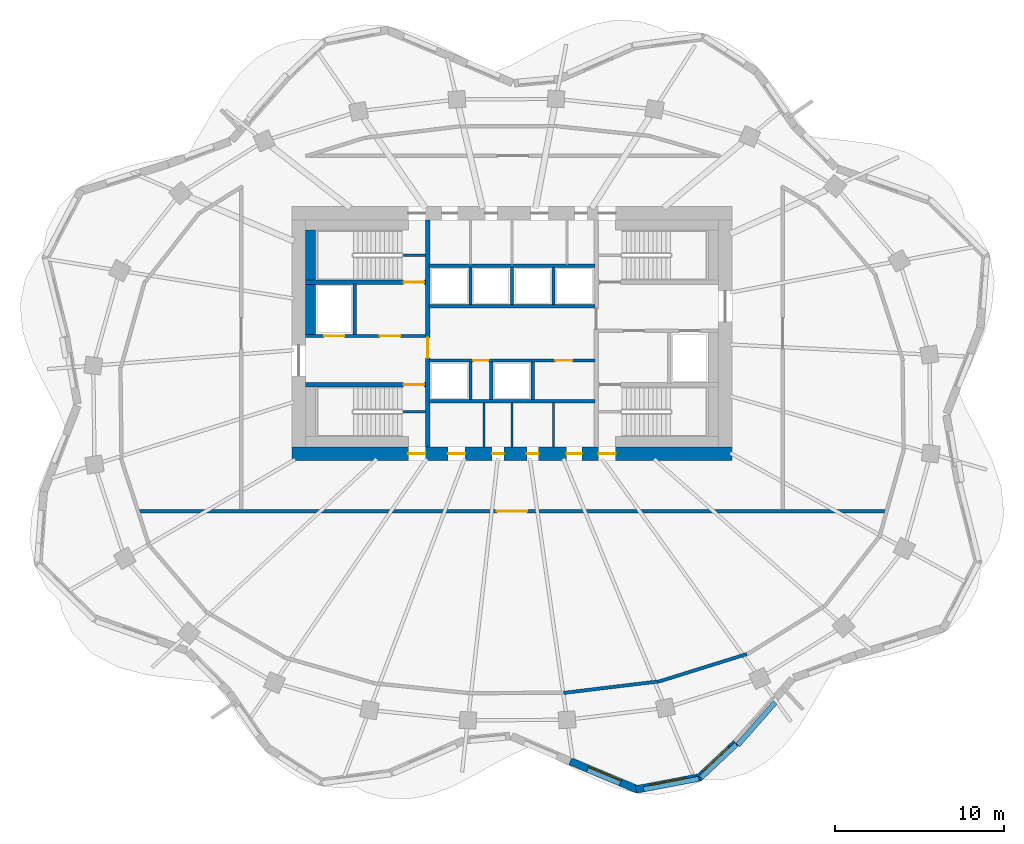
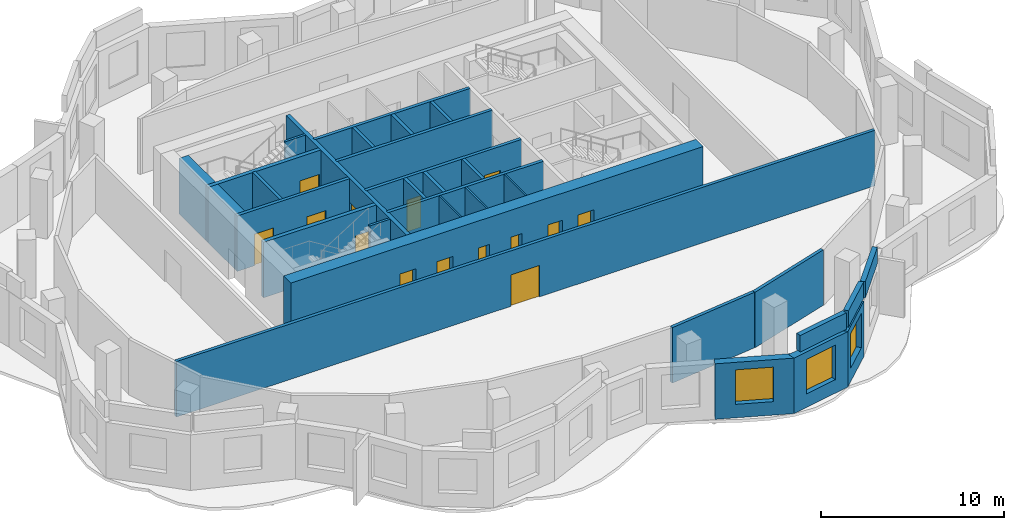
# One storey, part 4 of 8: 32 walls, 14 doors, 3 windows, 17 openings.
"""IFC4 building model written with IfcOpenShell, lengths in metres."""

from ifc_helpers import new_model, si_unit, direction, frame, frame_2d, origin, place, context, subcontext, project, spatial, rectangle, extrude, material, layer, layer_set, type_object, element, fill, save


model = new_model("IFC4")

# Units and contexts
model_context = context("Model", 3, precision=1e-05, world=origin(), true_north=direction((0.0, 1.0)))
body_context = subcontext(model_context, "Body", "Model", "MODEL_VIEW")
ifc_project = project(units=[si_unit("LENGTHUNIT", "METRE"), si_unit("AREAUNIT", "SQUARE_METRE"), si_unit("VOLUMEUNIT", "CUBIC_METRE"), si_unit("PLANEANGLEUNIT", "RADIAN"), si_unit("MASSUNIT", "GRAM", prefix="KILO")], contexts=[model_context])

# Site, building, storey
site_placement = place(None, origin())
site = spatial("IfcSite", under=ifc_project, at=site_placement, CompositionType="ELEMENT")
building_placement = place(site_placement, origin())
building = spatial("IfcBuilding", under=site, at=building_placement, Name="Rubra Terraces Tower", CompositionType="ELEMENT")
storey_placement = place(building_placement, frame((0.0, 0.0, 240.89990234375)))
storey = spatial("IfcBuildingStorey", under=building, at=storey_placement, Name="L59", CompositionType="ELEMENT", Elevation=240.89990234375)

# Wall, opening, window
ifc_material_1 = material(Name="Brick masonry red-brown", Category="masonry")
ifc_layer_1 = layer(ifc_material_1, 0.449951171875)
ifc_layer_set_1 = layer_set([ifc_layer_1], Name="Brick masonry red-brown")
wall_type_1 = type_object("IfcWallType", Name="Brick facade wall 450", PredefinedType="SOLIDWALL", material=ifc_layer_set_1)
wall_1_placement = place(storey_placement, frame((3.44140625, -20.776123046875, 0.0), z_axis=(0.0, 0.0, 1.0), x_axis=(0.921988121387, -0.387218160758, 0.0)))
wall_1 = element("IfcWall", 1, at=wall_1_placement, inside=storey, type_object=wall_type_1, Name="Facade wall L59 bay 32", PredefinedType="SOLIDWALL", context=body_context, shape_type="SweptSolid", body=[
    extrude(rectangle(XDim=4.3466796875, YDim=0.449951171875, at=frame_2d((2.17333984375, 0.0))), origin(), (0.0, 0.0, 1.0), 3.7001953125),
])
opening_1_placement = place(wall_1_placement, frame((1.123291015625, 0.0, 0.89990234375)))
opening_1 = element("IfcOpeningElement", 2, at=opening_1_placement, cuts=wall_1, Name="Opening W1B", PredefinedType="OPENING", context=body_context, shape_type="SweptSolid", body=[
    extrude(rectangle(XDim=2.10009765625, YDim=2.300048828125, at=frame_2d((1.050048828125, 1.14990234375))), frame((0.0, 0.23486328125, 0.0), z_axis=(0.0, -1.0, 0.0), x_axis=(1.0, 0.0, 0.0)), (0.0, 0.0, 1.0), 0.469970703125),
])
ifc_material_2 = material(Name="Clear glass in aluminium frame", Category="aluminium")
window_type = type_object("IfcWindowType", Name="Fixed deep-set window tall storey 2100 x 2300", PartitioningType="SINGLE_PANEL", PredefinedType="WINDOW", material=ifc_material_2)
window_1_placement = place(opening_1_placement, origin())
window_1 = element("IfcWindow", 3, at=window_1_placement, inside=storey, type_object=window_type, Name="Window L59 bay 32", OverallHeight=2.300048828125, OverallWidth=2.10009765625, PartitioningType="SINGLE_PANEL", PredefinedType="WINDOW", context=body_context, shape_type="SweptSolid", body=[
    extrude(rectangle(XDim=2.10009765625, YDim=2.300048828125, at=frame_2d((1.050048828125, 1.14990234375))), frame((0.0, 0.135009765625, 0.0), z_axis=(0.0, -1.0, 0.0), x_axis=(1.0, 0.0, 0.0)), (0.0, 0.0, 1.0), 0.06005859375),
])
fill(opening_1, window_1)

wall_2_placement = place(storey_placement, frame((7.322998046875, -22.447021484375, 0.0), z_axis=(0.0, 0.0, 1.0), x_axis=(0.982420993638, 0.18667884524, 0.0)))
wall_2 = element("IfcWall", 4, at=wall_2_placement, inside=storey, type_object=wall_type_1, Name="Facade wall L59 bay 33", PredefinedType="SOLIDWALL", context=body_context, shape_type="SweptSolid", body=[
    extrude(rectangle(XDim=3.88427734375, YDim=0.449951171875, at=frame_2d((1.942138671875, 0.0))), origin(), (0.0, 0.0, 1.0), 3.7001953125),
])
opening_2_placement = place(wall_2_placement, frame((0.89208984375, 0.0, 0.89990234375)))
opening_2 = element("IfcOpeningElement", 5, at=opening_2_placement, cuts=wall_2, Name="Opening W1B", PredefinedType="OPENING", context=body_context, shape_type="SweptSolid", body=[
    extrude(rectangle(XDim=2.10009765625, YDim=2.300048828125, at=frame_2d((1.050048828125, 1.14990234375))), frame((0.0, 0.23486328125, 0.0), z_axis=(0.0, -1.0, 0.0), x_axis=(1.0, 0.0, 0.0)), (0.0, 0.0, 1.0), 0.469970703125),
])
window_2_placement = place(opening_2_placement, origin())
window_2 = element("IfcWindow", 6, at=window_2_placement, inside=storey, type_object=window_type, Name="Window L59 bay 33", OverallHeight=2.300048828125, OverallWidth=2.10009765625, PartitioningType="SINGLE_PANEL", PredefinedType="WINDOW", context=body_context, shape_type="SweptSolid", body=[
    extrude(rectangle(XDim=2.10009765625, YDim=2.300048828125, at=frame_2d((1.050048828125, 1.14990234375))), frame((0.0, 0.135009765625, 0.0), z_axis=(0.0, -1.0, 0.0), x_axis=(1.0, 0.0, 0.0)), (0.0, 0.0, 1.0), 0.06005859375),
])
fill(opening_2, window_2)

wall_3_placement = place(storey_placement, frame((11.027099609375, -21.779052734375, 0.0), z_axis=(0.0, 0.0, 1.0), x_axis=(0.728871214251, 0.684650825631, 0.0)))
wall_3 = element("IfcWall", 7, at=wall_3_placement, inside=storey, type_object=wall_type_1, Name="Facade wall L59 bay 34", PredefinedType="SOLIDWALL", context=body_context, shape_type="SweptSolid", body=[
    extrude(rectangle(XDim=3.031005859375, YDim=0.449951171875, at=frame_2d((1.515625, 0.0))), origin(), (0.0, 0.0, 1.0), 3.7001953125),
])
opening_3_placement = place(wall_3_placement, frame((0.465576171875, 0.0, 0.89990234375)))
opening_3 = element("IfcOpeningElement", 8, at=opening_3_placement, cuts=wall_3, Name="Opening W1B", PredefinedType="OPENING", context=body_context, shape_type="SweptSolid", body=[
    extrude(rectangle(XDim=2.10009765625, YDim=2.300048828125, at=frame_2d((1.050048828125, 1.14990234375))), frame((0.0, 0.23486328125, 0.0), z_axis=(0.0, -1.0, 0.0), x_axis=(1.0, 0.0, 0.0)), (0.0, 0.0, 1.0), 0.469970703125),
])
window_3_placement = place(opening_3_placement, origin())
window_3 = element("IfcWindow", 9, at=window_3_placement, inside=storey, type_object=window_type, Name="Window L59 bay 34", OverallHeight=2.300048828125, OverallWidth=2.10009765625, PartitioningType="SINGLE_PANEL", PredefinedType="WINDOW", context=body_context, shape_type="SweptSolid", body=[
    extrude(rectangle(XDim=2.10009765625, YDim=2.300048828125, at=frame_2d((1.050048828125, 1.14990234375))), frame((0.0, 0.135009765625, 0.0), z_axis=(0.0, -1.0, 0.0), x_axis=(1.0, 0.0, 0.0)), (0.0, 0.0, 1.0), 0.06005859375),
])
fill(opening_3, window_3)

# Walls
ifc_layer_2 = layer(ifc_material_1, 0.300048828125)
ifc_layer_set_2 = layer_set([ifc_layer_2], Name="Brick masonry red-brown")
wall_type_2 = type_object("IfcWallType", Name="Brick parapet 300", PredefinedType="PARAPET", material=ifc_layer_set_2)
wall_4_placement = place(storey_placement, frame((7.777587890625, -22.43701171875, 3.900146484375), z_axis=(0.0, 0.0, 1.0), x_axis=(0.98241446716, 0.186713188382, 0.0)))
element("IfcWall", 10, at=wall_4_placement, inside=storey, type_object=wall_type_2, Name="Parapet L59 bay 33", PredefinedType="PARAPET", context=body_context, shape_type="SweptSolid", body=[
    extrude(rectangle(XDim=3.318603515625, YDim=0.300048828125, at=frame_2d((1.6591796875, 0.0))), origin(), (0.0, 0.0, 1.0), 1.099853515625),
])
wall_5_placement = place(storey_placement, frame((11.163818359375, -21.75341796875, 3.900146484375), z_axis=(0.0, 0.0, 1.0), x_axis=(0.72886475222, 0.684657704967, 0.0)))
element("IfcWall", 11, at=wall_5_placement, inside=storey, type_object=wall_type_2, Name="Parapet L59 bay 34", PredefinedType="PARAPET", context=body_context, shape_type="SweptSolid", body=[
    extrude(rectangle(XDim=2.877197265625, YDim=0.300048828125, at=frame_2d((1.4384765625, 0.0))), origin(), (0.0, 0.0, 1.0), 1.099853515625),
])
wall_6_placement = place(storey_placement, frame((13.338623046875, -19.822265625, 3.900146484375), z_axis=(0.0, 0.0, 1.0), x_axis=(0.660445690116, 0.7508738179, 0.0)))
element("IfcWall", 12, at=wall_6_placement, inside=storey, type_object=wall_type_2, Name="Parapet L59 bay 35", PredefinedType="PARAPET", context=body_context, shape_type="SweptSolid", body=[
    extrude(rectangle(XDim=3.353271484375, YDim=0.300048828125, at=frame_2d((1.6767578125, 0.0))), origin(), (0.0, 0.0, 1.0), 1.099853515625),
])

# Wall, openings, doors
ifc_material_3 = material(Name="Concrete C50", Category="concrete")
ifc_layer_3 = layer(ifc_material_3, 0.800048828125)
ifc_layer_set_3 = layer_set([ifc_layer_3], Name="Concrete C50")
wall_type_3 = type_object("IfcWallType", Name="CORE WALL 800 C50", PredefinedType="SHEAR", material=ifc_layer_set_3)
wall_7_placement = place(storey_placement, frame((-13.0, -2.60009765625, 0.0), z_axis=(0.0, 0.0, 1.0), x_axis=(1.0, 0.0, 0.0)))
wall_7 = element("IfcWall", 13, at=wall_7_placement, inside=storey, type_object=wall_type_3, Name="CORE WALL S L59", PredefinedType="SHEAR", context=body_context, shape_type="SweptSolid", body=[
    extrude(rectangle(XDim=26.0, YDim=0.800048828125, at=frame_2d((13.0, 0.0))), origin(), (0.0, 0.0, 1.0), 3.900146484375),
])
opening_4_placement = place(wall_7_placement, frame((9.22509765625, 0.0, 0.0)))
opening_4 = element("IfcOpeningElement", 14, at=opening_4_placement, cuts=wall_7, Name="Opening L59.C15", PredefinedType="OPENING", context=body_context, shape_type="SweptSolid", body=[
    extrude(rectangle(XDim=1.0, YDim=2.10009765625, at=frame_2d((0.5, 1.050048828125))), frame((0.0, 0.409912109375, 0.0), z_axis=(0.0, -1.0, 0.0), x_axis=(1.0, 0.0, 0.0)), (0.0, 0.0, 1.0), 0.820068359375),
])
opening_5_placement = place(wall_7_placement, frame((11.824951171875, 0.0, 0.0)))
opening_5 = element("IfcOpeningElement", 15, at=opening_5_placement, cuts=wall_7, Name="Opening L59.C16", PredefinedType="OPENING", context=body_context, shape_type="SweptSolid", body=[
    extrude(rectangle(XDim=0.699951171875, YDim=2.10009765625, at=frame_2d((0.35009765625, 1.050048828125))), frame((0.0, 0.409912109375, 0.0), z_axis=(0.0, -1.0, 0.0), x_axis=(1.0, 0.0, 0.0)), (0.0, 0.0, 1.0), 0.820068359375),
])
opening_6_placement = place(wall_7_placement, frame((13.875, 0.0, 0.0)))
opening_6 = element("IfcOpeningElement", 16, at=opening_6_placement, cuts=wall_7, Name="Opening L59.C17", PredefinedType="OPENING", context=body_context, shape_type="SweptSolid", body=[
    extrude(rectangle(XDim=0.699951171875, YDim=2.10009765625, at=frame_2d((0.35009765625, 1.050048828125))), frame((0.0, 0.409912109375, 0.0), z_axis=(0.0, -1.0, 0.0), x_axis=(1.0, 0.0, 0.0)), (0.0, 0.0, 1.0), 0.820068359375),
])
opening_7_placement = place(wall_7_placement, frame((16.22509765625, 0.0, 0.0)))
opening_7 = element("IfcOpeningElement", 17, at=opening_7_placement, cuts=wall_7, Name="Opening L59.C18", PredefinedType="OPENING", context=body_context, shape_type="SweptSolid", body=[
    extrude(rectangle(XDim=0.89990234375, YDim=2.10009765625, at=frame_2d((0.449951171875, 1.050048828125))), frame((0.0, 0.409912109375, 0.0), z_axis=(0.0, -1.0, 0.0), x_axis=(1.0, 0.0, 0.0)), (0.0, 0.0, 1.0), 0.820068359375),
])
opening_8_placement = place(wall_7_placement, frame((6.8798828125, 0.0, 0.0)))
opening_8 = element("IfcOpeningElement", 18, at=opening_8_placement, cuts=wall_7, Name="Opening L59.C23", PredefinedType="OPENING", context=body_context, shape_type="SweptSolid", body=[
    extrude(rectangle(XDim=1.0, YDim=2.10009765625, at=frame_2d((0.5, 1.050048828125))), frame((0.0, 0.409912109375, 0.0), z_axis=(0.0, -1.0, 0.0), x_axis=(1.0, 0.0, 0.0)), (0.0, 0.0, 1.0), 0.820068359375),
])
opening_9_placement = place(wall_7_placement, frame((18.1201171875, 0.0, 0.0)))
opening_9 = element("IfcOpeningElement", 19, at=opening_9_placement, cuts=wall_7, Name="Opening L59.C26", PredefinedType="OPENING", context=body_context, shape_type="SweptSolid", body=[
    extrude(rectangle(XDim=1.0, YDim=2.10009765625, at=frame_2d((0.5, 1.050048828125))), frame((0.0, 0.409912109375, 0.0), z_axis=(0.0, -1.0, 0.0), x_axis=(1.0, 0.0, 0.0)), (0.0, 0.0, 1.0), 0.820068359375),
])
ifc_material_4 = material(Name="Painted steel", Category="steel")
door_type_1 = type_object("IfcDoorType", Name="Fire door 1000x2100 single", OperationType="NOTDEFINED", PredefinedType="DOOR", material=ifc_material_4)
door_1_placement = place(opening_4_placement, origin())
door_1 = element("IfcDoor", 20, at=door_1_placement, inside=storey, type_object=door_type_1, Name="General store door", OperationType="SINGLE_SWING_LEFT", OverallHeight=2.10009765625, OverallWidth=1.0, PredefinedType="DOOR", context=body_context, shape_type="SweptSolid", body=[
    extrude(rectangle(XDim=1.0, YDim=2.10009765625, at=frame_2d((0.5, 1.050048828125))), frame((0.0, 0.02490234375, 0.0), z_axis=(0.0, -1.0, 0.0), x_axis=(1.0, 0.0, 0.0)), (0.0, 0.0, 1.0), 0.050048828125),
])
fill(opening_4, door_1)
door_2_placement = place(opening_8_placement, origin())
door_2 = element("IfcDoor", 21, at=door_2_placement, inside=storey, type_object=door_type_1, Name="Stair S1 refuge door", OperationType="SINGLE_SWING_LEFT", OverallHeight=2.10009765625, OverallWidth=1.0, PredefinedType="DOOR", context=body_context, shape_type="SweptSolid", body=[
    extrude(rectangle(XDim=1.0, YDim=2.10009765625, at=frame_2d((0.5, 1.050048828125))), frame((0.0, 0.02490234375, 0.0), z_axis=(0.0, -1.0, 0.0), x_axis=(1.0, 0.0, 0.0)), (0.0, 0.0, 1.0), 0.050048828125),
])
fill(opening_8, door_2)
door_3_placement = place(opening_9_placement, origin())
door_3 = element("IfcDoor", 22, at=door_3_placement, inside=storey, type_object=door_type_1, Name="Stair S4 refuge door", OperationType="SINGLE_SWING_RIGHT", OverallHeight=2.10009765625, OverallWidth=1.0, PredefinedType="DOOR", context=body_context, shape_type="SweptSolid", body=[
    extrude(rectangle(XDim=1.0, YDim=2.10009765625, at=frame_2d((0.5, 1.050048828125))), frame((0.0, 0.02490234375, 0.0), z_axis=(0.0, -1.0, 0.0), x_axis=(1.0, 0.0, 0.0)), (0.0, 0.0, 1.0), 0.050048828125),
])
fill(opening_9, door_3)
door_type_2 = type_object("IfcDoorType", Name="Fire door 900x2100 single", OperationType="NOTDEFINED", PredefinedType="DOOR", material=ifc_material_4)
door_4_placement = place(opening_7_placement, origin())
door_4 = element("IfcDoor", 23, at=door_4_placement, inside=storey, type_object=door_type_2, Name="Cleaner's store door", OperationType="SINGLE_SWING_RIGHT", OverallHeight=2.10009765625, OverallWidth=0.89990234375, PredefinedType="DOOR", context=body_context, shape_type="SweptSolid", body=[
    extrude(rectangle(XDim=0.89990234375, YDim=2.10009765625, at=frame_2d((0.449951171875, 1.050048828125))), frame((0.0, 0.02490234375, 0.0), z_axis=(0.0, -1.0, 0.0), x_axis=(1.0, 0.0, 0.0)), (0.0, 0.0, 1.0), 0.050048828125),
])
fill(opening_7, door_4)
door_type_3 = type_object("IfcDoorType", Name="Riser access door 700x2100 single", OperationType="NOTDEFINED", PredefinedType="DOOR", material=ifc_material_4)
door_5_placement = place(opening_5_placement, origin())
door_5 = element("IfcDoor", 24, at=door_5_placement, inside=storey, type_object=door_type_3, Name="Mechanical riser (water and drainage) door", OperationType="SINGLE_SWING_RIGHT", OverallHeight=2.10009765625, OverallWidth=0.699951171875, PredefinedType="DOOR", context=body_context, shape_type="SweptSolid", body=[
    extrude(rectangle(XDim=0.699951171875, YDim=2.10009765625, at=frame_2d((0.35009765625, 1.050048828125))), frame((0.0, 0.02490234375, 0.0), z_axis=(0.0, -1.0, 0.0), x_axis=(1.0, 0.0, 0.0)), (0.0, 0.0, 1.0), 0.050048828125),
])
fill(opening_5, door_5)
door_6_placement = place(opening_6_placement, origin())
door_6 = element("IfcDoor", 25, at=door_6_placement, inside=storey, type_object=door_type_3, Name="M&E riser room door", OperationType="SINGLE_SWING_LEFT", OverallHeight=2.10009765625, OverallWidth=0.699951171875, PredefinedType="DOOR", context=body_context, shape_type="SweptSolid", body=[
    extrude(rectangle(XDim=0.699951171875, YDim=2.10009765625, at=frame_2d((0.35009765625, 1.050048828125))), frame((0.0, 0.02490234375, 0.0), z_axis=(0.0, -1.0, 0.0), x_axis=(1.0, 0.0, 0.0)), (0.0, 0.0, 1.0), 0.050048828125),
])
fill(opening_6, door_6)

# Walls
ifc_material_5 = material(Name="Concrete C40", Category="concrete")
ifc_layer_4 = layer(ifc_material_5, 0.60009765625)
ifc_layer_set_4 = layer_set([ifc_layer_4], Name="Concrete C40")
wall_type_4 = type_object("IfcWallType", Name="Core lining wall 600 concrete", PredefinedType="SOLIDWALL", material=ifc_layer_set_4)
wall_8_placement = place(storey_placement, frame((-11.89990234375, 4.449951171875, 0.0), z_axis=(0.0, 0.0, 1.0), x_axis=(0.0, 1.0, 0.0)))
element("IfcWall", 26, at=wall_8_placement, inside=storey, type_object=wall_type_4, Name="CORE LINING WALL L59", PredefinedType="SOLIDWALL", context=body_context, shape_type="SweptSolid", body=[
    extrude(rectangle(XDim=3.0, YDim=0.60009765625, at=frame_2d((1.5, 0.0))), origin(), (0.0, 0.0, 1.0), 3.7001953125),
])
wall_9_placement = place(storey_placement, frame((-11.89990234375, 7.64990234375, 0.0), z_axis=(0.0, 0.0, 1.0), x_axis=(0.0, 1.0, 0.0)))
element("IfcWall", 27, at=wall_9_placement, inside=storey, type_object=wall_type_4, Name="CORE LINING WALL L59", PredefinedType="SOLIDWALL", context=body_context, shape_type="SweptSolid", body=[
    extrude(rectangle(XDim=2.9501953125, YDim=0.60009765625, at=frame_2d((1.47509765625, 0.0))), origin(), (0.0, 0.0, 1.0), 3.7001953125),
])

# Wall, openings, doors
ifc_material_6 = material(Name="Concrete C30", Category="concrete")
ifc_layer_5 = layer(ifc_material_6, 0.199951171875)
ifc_layer_set_5 = layer_set([ifc_layer_5], Name="Concrete C30")
wall_type_5 = type_object("IfcWallType", Name="Core wall 200 concrete", PredefinedType="SOLIDWALL", material=ifc_layer_set_5)
wall_10_placement = place(storey_placement, frame((-12.199951171875, 4.35009765625, 0.0), z_axis=(0.0, 0.0, 1.0), x_axis=(1.0, 0.0, 0.0)))
wall_10 = element("IfcWall", 28, at=wall_10_placement, inside=storey, type_object=wall_type_5, Name="STAIR WALL L59", PredefinedType="SOLIDWALL", context=body_context, shape_type="SweptSolid", body=[
    extrude(rectangle(XDim=7.099853515625, YDim=0.199951171875, at=frame_2d((3.5498046875, 0.0))), origin(), (0.0, 0.0, 1.0), 3.7001953125),
])
opening_10_placement = place(wall_10_placement, frame((4.39990234375, 0.0, 0.0)))
opening_10 = element("IfcOpeningElement", 29, at=opening_10_placement, cuts=wall_10, Name="Opening L59.C05", PredefinedType="OPENING", context=body_context, shape_type="SweptSolid", body=[
    extrude(rectangle(XDim=1.199951171875, YDim=2.10009765625, at=frame_2d((0.60009765625, 1.050048828125))), frame((0.0, 0.10986328125, 0.0), z_axis=(0.0, -1.0, 0.0), x_axis=(1.0, 0.0, 0.0)), (0.0, 0.0, 1.0), 0.219970703125),
])
opening_11_placement = place(wall_10_placement, frame((1.10009765625, 0.0, 0.0)))
opening_11 = element("IfcOpeningElement", 30, at=opening_11_placement, cuts=wall_10, Name="Opening L59.C11", PredefinedType="OPENING", context=body_context, shape_type="SweptSolid", body=[
    extrude(rectangle(XDim=1.199951171875, YDim=2.10009765625, at=frame_2d((0.60009765625, 1.050048828125))), frame((0.0, 0.10986328125, 0.0), z_axis=(0.0, -1.0, 0.0), x_axis=(1.0, 0.0, 0.0)), (0.0, 0.0, 1.0), 0.219970703125),
])
door_type_4 = type_object("IfcDoorType", Name="Fire door 1200x2100 single", OperationType="NOTDEFINED", PredefinedType="DOOR", material=ifc_material_4)
door_7_placement = place(opening_10_placement, origin())
door_7 = element("IfcDoor", 31, at=door_7_placement, inside=storey, type_object=door_type_4, Name="Stair vestibule door S2", OperationType="SINGLE_SWING_LEFT", OverallHeight=2.10009765625, OverallWidth=1.199951171875, PredefinedType="DOOR", context=body_context, shape_type="SweptSolid", body=[
    extrude(rectangle(XDim=1.199951171875, YDim=2.10009765625, at=frame_2d((0.60009765625, 1.050048828125))), frame((0.0, 0.02490234375, 0.0), z_axis=(0.0, -1.0, 0.0), x_axis=(1.0, 0.0, 0.0)), (0.0, 0.0, 1.0), 0.050048828125),
])
fill(opening_10, door_7)
ifc_material_7 = material(Name="Stainless steel", Category="steel")
door_type_5 = type_object("IfcDoorType", Name="Lift landing door 1200x2100", OperationType="NOTDEFINED", PredefinedType="DOOR", material=ifc_material_7)
door_8_placement = place(opening_11_placement, origin())
door_8 = element("IfcDoor", 32, at=door_8_placement, inside=storey, type_object=door_type_5, Name="Landing door FF1", OperationType="SLIDING_TO_RIGHT", OverallHeight=2.10009765625, OverallWidth=1.199951171875, PredefinedType="DOOR", context=body_context, shape_type="SweptSolid", body=[
    extrude(rectangle(XDim=1.199951171875, YDim=2.10009765625, at=frame_2d((0.60009765625, 1.050048828125))), frame((0.0, 0.02490234375, 0.0), z_axis=(0.0, -1.0, 0.0), x_axis=(1.0, 0.0, 0.0)), (0.0, 0.0, 1.0), 0.050048828125),
])
fill(opening_11, door_8)

# Walls
wall_11_placement = place(storey_placement, frame((-9.300048828125, 4.449951171875, 0.0), z_axis=(0.0, 0.0, 1.0), x_axis=(0.0, 1.0, 0.0)))
element("IfcWall", 33, at=wall_11_placement, inside=storey, type_object=wall_type_5, Name="STAIR WALL L59", PredefinedType="SOLIDWALL", context=body_context, shape_type="SweptSolid", body=[
    extrude(rectangle(XDim=3.0, YDim=0.199951171875, at=frame_2d((1.5, 0.0))), origin(), (0.0, 0.0, 1.0), 3.7001953125),
])
wall_12_placement = place(storey_placement, frame((-4.89990234375, 0.5, 0.0), z_axis=(0.0, 0.0, 1.0), x_axis=(1.0, 0.0, 0.0)))
element("IfcWall", 34, at=wall_12_placement, inside=storey, type_object=wall_type_5, Name="LIFT SHAFT WALL L59", PredefinedType="SOLIDWALL", context=body_context, shape_type="SweptSolid", body=[
    extrude(rectangle(XDim=9.7998046875, YDim=0.199951171875, at=frame_2d((4.89990234375, 0.0))), origin(), (0.0, 0.0, 1.0), 3.7001953125),
])

# Wall, openings, doors
wall_13_placement = place(storey_placement, frame((-4.89990234375, 2.89990234375, 0.0), z_axis=(0.0, 0.0, 1.0), x_axis=(1.0, 0.0, 0.0)))
wall_13 = element("IfcWall", 35, at=wall_13_placement, inside=storey, type_object=wall_type_5, Name="LIFT SHAFT WALL L59", PredefinedType="SOLIDWALL", context=body_context, shape_type="SweptSolid", body=[
    extrude(rectangle(XDim=9.7998046875, YDim=0.199951171875, at=frame_2d((4.89990234375, 0.0))), origin(), (0.0, 0.0, 1.0), 3.7001953125),
])
opening_12_placement = place(wall_13_placement, frame((2.613037109375, 0.0, 0.0)))
opening_12 = element("IfcOpeningElement", 36, at=opening_12_placement, cuts=wall_13, Name="Opening L59.C13", PredefinedType="OPENING", context=body_context, shape_type="SweptSolid", body=[
    extrude(rectangle(XDim=0.89990234375, YDim=2.10009765625, at=frame_2d((0.449951171875, 1.050048828125))), frame((0.0, 0.10986328125, 0.0), z_axis=(0.0, -1.0, 0.0), x_axis=(1.0, 0.0, 0.0)), (0.0, 0.0, 1.0), 0.219970703125),
])
opening_13_placement = place(wall_13_placement, frame((7.462890625, 0.0, 0.0)))
opening_13 = element("IfcOpeningElement", 37, at=opening_13_placement, cuts=wall_13, Name="Opening L59.C14", PredefinedType="OPENING", context=body_context, shape_type="SweptSolid", body=[
    extrude(rectangle(XDim=1.0, YDim=2.10009765625, at=frame_2d((0.5, 1.050048828125))), frame((0.0, 0.10986328125, 0.0), z_axis=(0.0, -1.0, 0.0), x_axis=(1.0, 0.0, 0.0)), (0.0, 0.0, 1.0), 0.219970703125),
])
door_9_placement = place(opening_13_placement, origin())
door_9 = element("IfcDoor", 38, at=door_9_placement, inside=storey, type_object=door_type_1, Name="General store door", OperationType="SINGLE_SWING_RIGHT", OverallHeight=2.10009765625, OverallWidth=1.0, PredefinedType="DOOR", context=body_context, shape_type="SweptSolid", body=[
    extrude(rectangle(XDim=1.0, YDim=2.10009765625, at=frame_2d((0.5, 1.050048828125))), frame((0.0, 0.02490234375, 0.0), z_axis=(0.0, -1.0, 0.0), x_axis=(1.0, 0.0, 0.0)), (0.0, 0.0, 1.0), 0.050048828125),
])
fill(opening_13, door_9)
door_10_placement = place(opening_12_placement, origin())
door_10 = element("IfcDoor", 39, at=door_10_placement, inside=storey, type_object=door_type_2, Name="Cleaner's store door", OperationType="SINGLE_SWING_LEFT", OverallHeight=2.10009765625, OverallWidth=0.89990234375, PredefinedType="DOOR", context=body_context, shape_type="SweptSolid", body=[
    extrude(rectangle(XDim=0.89990234375, YDim=2.10009765625, at=frame_2d((0.449951171875, 1.050048828125))), frame((0.0, 0.02490234375, 0.0), z_axis=(0.0, -1.0, 0.0), x_axis=(1.0, 0.0, 0.0)), (0.0, 0.0, 1.0), 0.050048828125),
])
fill(opening_12, door_10)

# Walls
for number, where, z_axis, x_axis, name in (
    (40, (-4.89990234375, 6.10009765625, 0.0), (0.0, 0.0, 1.0), (1.0, 0.0, 0.0), "LIFT SHAFT WALL L59"),
    (41, (-4.89990234375, 8.5, 0.0), (0.0, 0.0, 1.0), (1.0, 0.0, 0.0), "LIFT SHAFT WALL L59"),
):
    element("IfcWall", number, at=place(storey_placement, frame(where, z_axis=z_axis, x_axis=x_axis)), inside=storey, type_object=wall_type_5, Name=name, PredefinedType="SOLIDWALL", context=body_context, shape_type="SweptSolid", body=[
        extrude(rectangle(XDim=9.7998046875, YDim=0.199951171875, at=frame_2d((4.89990234375, 0.0))), origin(), (0.0, 0.0, 1.0), 3.7001953125),
    ])
for number, where, z_axis, x_axis, name in (
    (42, (-2.449951171875, 0.60009765625, 0.0), (0.0, 0.0, 1.0), (0.0, 1.0, 0.0), "LIFT SHAFT WALL L59"),
    (43, (-1.22509765625, 0.60009765625, 0.0), (0.0, 0.0, 1.0), (0.0, 1.0, 0.0), "LIFT SHAFT WALL L59"),
    (44, (1.22509765625, 0.60009765625, 0.0), (0.0, 0.0, 1.0), (0.0, 1.0, 0.0), "LIFT SHAFT WALL L59"),
    (45, (-2.449951171875, 6.199951171875, 0.0), (0.0, 0.0, 1.0), (0.0, 1.0, 0.0), "LIFT SHAFT WALL L59"),
    (46, (0.0, 6.199951171875, 0.0), (0.0, 0.0, 1.0), (0.0, 1.0, 0.0), "LIFT SHAFT WALL L59"),
    (47, (2.449951171875, 6.199951171875, 0.0), (0.0, 0.0, 1.0), (0.0, 1.0, 0.0), "LIFT SHAFT WALL L59"),
):
    element("IfcWall", number, at=place(storey_placement, frame(where, z_axis=z_axis, x_axis=x_axis)), inside=storey, type_object=wall_type_5, Name=name, PredefinedType="SOLIDWALL", context=body_context, shape_type="SweptSolid", body=[
        extrude(rectangle(XDim=2.199951171875, YDim=0.199951171875, at=frame_2d((1.10009765625, 0.0))), origin(), (0.0, 0.0, 1.0), 3.7001953125),
    ])
ifc_material_8 = material(Name="Blockwork", Category="masonry")
ifc_layer_6 = layer(ifc_material_8, 0.199951171875)
ifc_layer_set_6 = layer_set([ifc_layer_6], Name="Blockwork")
wall_type_6 = type_object("IfcWallType", Name="Corridor partition 200 blockwork", PredefinedType="PARTITIONING", material=ifc_layer_set_6)
wall_14_placement = place(storey_placement, frame((13.875, -14.445068359375, 0.0), z_axis=(0.0, 0.0, 1.0), x_axis=(-0.954489463941, -0.298244636541, 0.0)))
element("IfcWall", 48, at=wall_14_placement, inside=storey, type_object=wall_type_6, Name="Partition wall", PredefinedType="PARTITIONING", context=body_context, shape_type="SweptSolid", body=[
    extrude(rectangle(XDim=5.4951171875, YDim=0.199951171875, at=frame_2d((2.74755859375, 0.0))), origin(), (0.0, 0.0, 1.0), 3.7001953125),
])
wall_15_placement = place(storey_placement, frame((8.6259765625, -16.06591796875, 0.0), z_axis=(0.0, 0.0, 1.0), x_axis=(-0.992720392358, -0.120441780942, 0.0)))
element("IfcWall", 49, at=wall_15_placement, inside=storey, type_object=wall_type_6, Name="Partition wall", PredefinedType="PARTITIONING", context=body_context, shape_type="SweptSolid", body=[
    extrude(rectangle(XDim=5.61279296875, YDim=0.199951171875, at=frame_2d((2.806396484375, 0.0))), origin(), (0.0, 0.0, 1.0), 3.7001953125),
])

# Wall, opening, door
wall_16_placement = place(storey_placement, frame((-21.998046875, -6.0, 0.0), z_axis=(0.0, 0.0, 1.0), x_axis=(1.0, 0.0, 0.0)))
wall_16 = element("IfcWall", 50, at=wall_16_placement, inside=storey, type_object=wall_type_6, Name="Partition wall", PredefinedType="PARTITIONING", context=body_context, shape_type="SweptSolid", body=[
    extrude(rectangle(XDim=44.0361328125, YDim=0.199951171875, at=frame_2d((22.01806640625, 0.0))), origin(), (0.0, 0.0, 1.0), 3.7001953125),
])
opening_14_placement = place(wall_16_placement, frame((21.097900390625, 0.0, 0.0)))
opening_14 = element("IfcOpeningElement", 51, at=opening_14_placement, cuts=wall_16, Name="Opening DB3", PredefinedType="OPENING", context=body_context, shape_type="SweptSolid", body=[
    extrude(rectangle(XDim=1.800048828125, YDim=2.10009765625, at=frame_2d((0.89990234375, 1.050048828125))), frame((0.0, 0.10986328125, 0.0), z_axis=(0.0, -1.0, 0.0), x_axis=(1.0, 0.0, 0.0)), (0.0, 0.0, 1.0), 0.219970703125),
])
door_type_6 = type_object("IfcDoorType", Name="Door 1800x2100 double", OperationType="NOTDEFINED", PredefinedType="DOOR", material=ifc_material_4)
door_11_placement = place(opening_14_placement, origin())
door_11 = element("IfcDoor", 52, at=door_11_placement, inside=storey, type_object=door_type_6, Name="Refuge area door L59-01", OperationType="DOUBLE_DOOR_SINGLE_SWING", OverallHeight=2.10009765625, OverallWidth=1.800048828125, PredefinedType="DOOR", context=body_context, shape_type="SweptSolid", body=[
    extrude(rectangle(XDim=1.800048828125, YDim=2.10009765625, at=frame_2d((0.89990234375, 1.050048828125))), frame((0.0, 0.02490234375, 0.0), z_axis=(0.0, -1.0, 0.0), x_axis=(1.0, 0.0, 0.0)), (0.0, 0.0, 1.0), 0.050048828125),
])
fill(opening_14, door_11)

# Walls
ifc_layer_7 = layer(ifc_material_8, 0.10009765625)
ifc_layer_set_7 = layer_set([ifc_layer_7], Name="Blockwork")
wall_type_7 = type_object("IfcWallType", Name="Service partition 100 blockwork", PredefinedType="PARTITIONING", material=ifc_layer_set_7)
for number, where, z_axis, x_axis, name in (
    (53, (-1.64990234375, -2.199951171875, 0.0), (0.0, 0.0, 1.0), (0.0, 1.0, 0.0), "SERVICE ROOM PARTITION L59"),
    (54, (0.0, -2.199951171875, 0.0), (0.0, 0.0, 1.0), (0.0, 1.0, 0.0), "SERVICE ROOM PARTITION L59"),
    (55, (2.449951171875, -2.199951171875, 0.0), (0.0, 0.0, 1.0), (0.0, 1.0, 0.0), "SERVICE ROOM PARTITION L59"),
):
    element("IfcWall", number, at=place(storey_placement, frame(where, z_axis=z_axis, x_axis=x_axis)), inside=storey, type_object=wall_type_7, Name=name, PredefinedType="PARTITIONING", context=body_context, shape_type="SweptSolid", body=[
        extrude(rectangle(XDim=2.599853515625, YDim=0.10009765625, at=frame_2d((1.2998046875, 0.0))), origin(), (0.0, 0.0, 1.0), 3.7001953125),
    ])

# Wall, opening, door
ifc_layer_8 = layer(ifc_material_5, 0.25)
ifc_layer_set_8 = layer_set([ifc_layer_8], Name="Concrete C40")
wall_type_8 = type_object("IfcWallType", Name="Stair enclosure wall 250 concrete", PredefinedType="SOLIDWALL", material=ifc_layer_set_8)
wall_17_placement = place(storey_placement, frame((-12.199951171875, 1.47509765625, 0.0), z_axis=(0.0, 0.0, 1.0), x_axis=(1.0, 0.0, 0.0)))
wall_17 = element("IfcWall", 56, at=wall_17_placement, inside=storey, type_object=wall_type_8, Name="STAIR WALL L59", PredefinedType="SOLIDWALL", context=body_context, shape_type="SweptSolid", body=[
    extrude(rectangle(XDim=7.099853515625, YDim=0.25, at=frame_2d((3.5498046875, 0.0))), origin(), (0.0, 0.0, 1.0), 3.7001953125),
])
opening_15_placement = place(wall_17_placement, frame((5.800048828125, 0.0, 0.0)))
opening_15 = element("IfcOpeningElement", 57, at=opening_15_placement, cuts=wall_17, Name="Opening L59.C07", PredefinedType="OPENING", context=body_context, shape_type="SweptSolid", body=[
    extrude(rectangle(XDim=1.199951171875, YDim=2.10009765625, at=frame_2d((0.60009765625, 1.050048828125))), frame((0.0, 0.135009765625, 0.0), z_axis=(0.0, -1.0, 0.0), x_axis=(1.0, 0.0, 0.0)), (0.0, 0.0, 1.0), 0.27001953125),
])
door_12_placement = place(opening_15_placement, origin())
door_12 = element("IfcDoor", 58, at=door_12_placement, inside=storey, type_object=door_type_4, Name="Stair door S1", OperationType="SINGLE_SWING_LEFT", OverallHeight=2.10009765625, OverallWidth=1.199951171875, PredefinedType="DOOR", context=body_context, shape_type="SweptSolid", body=[
    extrude(rectangle(XDim=1.199951171875, YDim=2.10009765625, at=frame_2d((0.60009765625, 1.050048828125))), frame((0.0, 0.02490234375, 0.0), z_axis=(0.0, -1.0, 0.0), x_axis=(1.0, 0.0, 0.0)), (0.0, 0.0, 1.0), 0.050048828125),
])
fill(opening_15, door_12)

wall_18_placement = place(storey_placement, frame((-12.199951171875, 7.52490234375, 0.0), z_axis=(0.0, 0.0, 1.0), x_axis=(1.0, 0.0, 0.0)))
wall_18 = element("IfcWall", 59, at=wall_18_placement, inside=storey, type_object=wall_type_8, Name="STAIR WALL L59", PredefinedType="SOLIDWALL", context=body_context, shape_type="SweptSolid", body=[
    extrude(rectangle(XDim=7.099853515625, YDim=0.25, at=frame_2d((3.5498046875, 0.0))), origin(), (0.0, 0.0, 1.0), 3.7001953125),
])
opening_16_placement = place(wall_18_placement, frame((5.800048828125, 0.0, 0.0)))
opening_16 = element("IfcOpeningElement", 60, at=opening_16_placement, cuts=wall_18, Name="Opening L59.C09", PredefinedType="OPENING", context=body_context, shape_type="SweptSolid", body=[
    extrude(rectangle(XDim=1.199951171875, YDim=2.10009765625, at=frame_2d((0.60009765625, 1.050048828125))), frame((0.0, 0.135009765625, 0.0), z_axis=(0.0, -1.0, 0.0), x_axis=(1.0, 0.0, 0.0)), (0.0, 0.0, 1.0), 0.27001953125),
])
door_13_placement = place(opening_16_placement, origin())
door_13 = element("IfcDoor", 61, at=door_13_placement, inside=storey, type_object=door_type_4, Name="Stair door S2", OperationType="SINGLE_SWING_LEFT", OverallHeight=2.10009765625, OverallWidth=1.199951171875, PredefinedType="DOOR", context=body_context, shape_type="SweptSolid", body=[
    extrude(rectangle(XDim=1.199951171875, YDim=2.10009765625, at=frame_2d((0.60009765625, 1.050048828125))), frame((0.0, 0.02490234375, 0.0), z_axis=(0.0, -1.0, 0.0), x_axis=(1.0, 0.0, 0.0)), (0.0, 0.0, 1.0), 0.050048828125),
])
fill(opening_16, door_13)

wall_19_placement = place(storey_placement, frame((-4.97509765625, -2.199951171875, 0.0), z_axis=(0.0, 0.0, 1.0), x_axis=(0.0, 1.0, 0.0)))
wall_19 = element("IfcWall", 62, at=wall_19_placement, inside=storey, type_object=wall_type_8, Name="CORE LOBBY WALL L59", PredefinedType="SOLIDWALL", context=body_context, shape_type="SweptSolid", body=[
    extrude(rectangle(XDim=13.39990234375, YDim=0.25, at=frame_2d((6.699951171875, 0.0))), origin(), (0.0, 0.0, 1.0), 3.7001953125),
])
opening_17_placement = place(wall_19_placement, frame((5.25, 0.0, 0.0)))
opening_17 = element("IfcOpeningElement", 63, at=opening_17_placement, cuts=wall_19, Name="Opening L59.C03", PredefinedType="OPENING", context=body_context, shape_type="SweptSolid", body=[
    extrude(rectangle(XDim=1.199951171875, YDim=2.10009765625, at=frame_2d((0.60009765625, 1.050048828125))), frame((0.0, 0.135009765625, 0.0), z_axis=(0.0, -1.0, 0.0), x_axis=(1.0, 0.0, 0.0)), (0.0, 0.0, 1.0), 0.27001953125),
])
door_14_placement = place(opening_17_placement, origin())
door_14 = element("IfcDoor", 64, at=door_14_placement, inside=storey, type_object=door_type_4, Name="Firefighting lobby door FF1", OperationType="SINGLE_SWING_LEFT", OverallHeight=2.10009765625, OverallWidth=1.199951171875, PredefinedType="DOOR", context=body_context, shape_type="SweptSolid", body=[
    extrude(rectangle(XDim=1.199951171875, YDim=2.10009765625, at=frame_2d((0.60009765625, 1.050048828125))), frame((0.0, 0.02490234375, 0.0), z_axis=(0.0, -1.0, 0.0), x_axis=(1.0, 0.0, 0.0)), (0.0, 0.0, 1.0), 0.050048828125),
])
fill(opening_17, door_14)

# Walls
ifc_layer_9 = layer(ifc_material_5, 0.14990234375)
ifc_layer_set_9 = layer_set([ifc_layer_9], Name="Concrete C40")
wall_type_9 = type_object("IfcWallType", Name="Stair separation wall 150 concrete", PredefinedType="SOLIDWALL", material=ifc_layer_set_9)
for number, where, z_axis, x_axis, name in (
    (65, (-6.39990234375, -0.125, 0.0), (0.0, 0.0, 1.0), (1.0, 0.0, 0.0), "STAIR SEPARATION WALL L59"),
    (66, (-6.39990234375, 9.125, 0.0), (0.0, 0.0, 1.0), (1.0, 0.0, 0.0), "STAIR SEPARATION WALL L59"),
):
    element("IfcWall", number, at=place(storey_placement, frame(where, z_axis=z_axis, x_axis=x_axis)), inside=storey, type_object=wall_type_9, Name=name, PredefinedType="SOLIDWALL", context=body_context, shape_type="SweptSolid", body=[
        extrude(rectangle(XDim=1.2998046875, YDim=0.14990234375, at=frame_2d((0.64990234375, 0.0))), origin(), (0.0, 0.0, 1.0), 3.7001953125),
    ])

save(model, "model.ifc")
